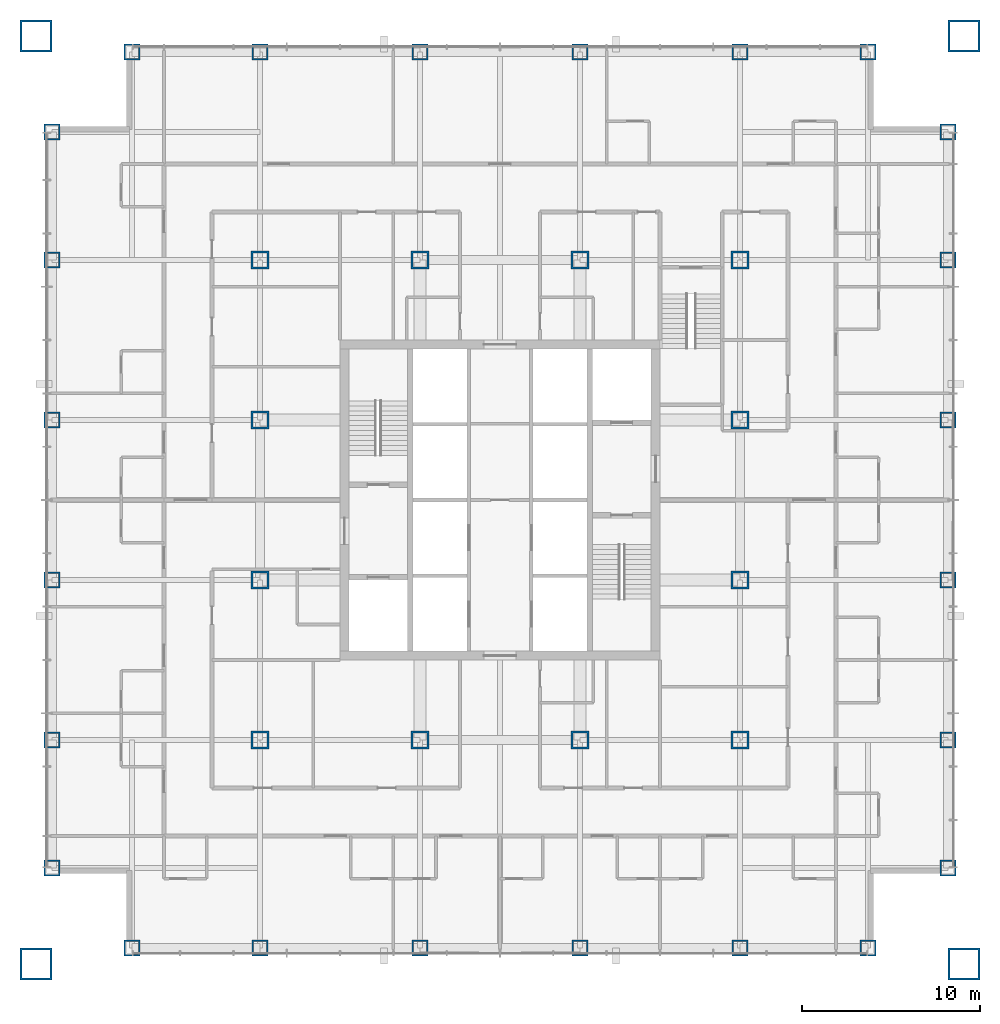
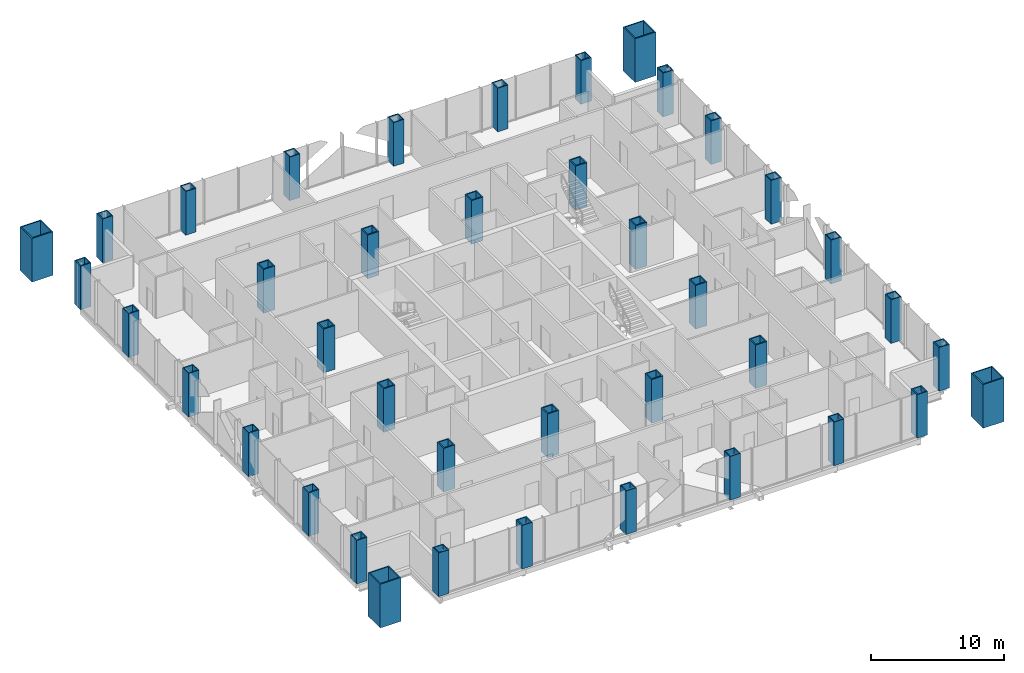
# One storey, part 1 of 13: 40 columns.
"""IFC4 building model written with IfcOpenShell, lengths in metres."""

from ifc_helpers import new_model, si_unit, direction, frame, origin, origin_2d, place, context, subcontext, project, spatial, hollow_rectangle, extrude, material, material_profile, profile_set, type_object, element, save


model = new_model("IFC4")

# Units and contexts
model_context = context("Model", 3, precision=1e-05, world=origin(), true_north=direction((0.0, 1.0)))
body_context = subcontext(model_context, "Body", "Model", "MODEL_VIEW")
ifc_project = project(units=[si_unit("LENGTHUNIT", "METRE"), si_unit("AREAUNIT", "SQUARE_METRE"), si_unit("VOLUMEUNIT", "CUBIC_METRE"), si_unit("PLANEANGLEUNIT", "RADIAN"), si_unit("MASSUNIT", "GRAM", prefix="KILO")], contexts=[model_context])

# Site, building, storey
site_placement = place(None, origin())
site = spatial("IfcSite", under=ifc_project, at=site_placement, CompositionType="ELEMENT")
building_placement = place(site_placement, origin())
building = spatial("IfcBuilding", under=site, at=building_placement, Name="Malebo Sky Hospital", CompositionType="ELEMENT")
storey_placement = place(building_placement, frame((0.0, 0.0, 75.0)))
storey = spatial("IfcBuildingStorey", under=building, at=storey_placement, Name="L17", CompositionType="ELEMENT", Elevation=75.0)

# Columns
ifc_material = material(Name="Steel S460", Category="steel")
ifc_material_profile_1 = material_profile(ifc_material, hollow_rectangle(XDim=1.0, YDim=1.0, WallThickness=0.10009765625, at=origin_2d()), Name="BOX 1000x1000x100")
ifc_profile_set_1 = profile_set([ifc_material_profile_1], Name="Steel S460")
column_type_1 = type_object("IfcColumnType", Name="INNER COLUMN BOX 1000x1000x100", PredefinedType="COLUMN", material=ifc_profile_set_1)
for number, where, z_axis, x_axis, name in (
    (1, (46.5, 48.5, 0.0), (0.0, 0.0, 1.0), (1.0, 0.0, 0.0), "Column IC9 L17"),
    (2, (73.5, 48.5, 0.0), (0.0, 0.0, 1.0), (1.0, 0.0, 0.0), "Column IC9 L17"),
    (3, (73.5, 75.5, 0.0), (0.0, 0.0, 1.0), (1.0, 0.0, 0.0), "Column IC9 L17"),
    (4, (46.5, 75.5, 0.0), (0.0, 0.0, 1.0), (1.0, 0.0, 0.0), "Column IC9 L17"),
    (5, (55.5, 48.5, 0.0), (0.0, 0.0, 1.0), (1.0, 0.0, 0.0), "Column IC9 L17"),
    (6, (64.5, 48.5, 0.0), (0.0, 0.0, 1.0), (1.0, 0.0, 0.0), "Column IC9 L17"),
    (7, (55.5, 75.5, 0.0), (0.0, 0.0, 1.0), (1.0, 0.0, 0.0), "Column IC9 L17"),
    (8, (64.5, 75.5, 0.0), (0.0, 0.0, 1.0), (1.0, 0.0, 0.0), "Column IC9 L17"),
    (9, (46.5, 57.5, 0.0), (0.0, 0.0, 1.0), (1.0, 0.0, 0.0), "Column IC9 L17"),
    (10, (46.5, 66.5, 0.0), (0.0, 0.0, 1.0), (1.0, 0.0, 0.0), "Column IC9 L17"),
    (11, (73.5, 57.5, 0.0), (0.0, 0.0, 1.0), (1.0, 0.0, 0.0), "Column IC9 L17"),
    (12, (73.5, 66.5, 0.0), (0.0, 0.0, 1.0), (1.0, 0.0, 0.0), "Column IC9 L17"),
):
    element("IfcColumn", number, at=place(storey_placement, frame(where, z_axis=z_axis, x_axis=x_axis)), inside=storey, type_object=column_type_1, Name=name, PredefinedType="COLUMN", context=body_context, shape_type="SweptSolid", body=[
        extrude(hollow_rectangle(XDim=1.0, YDim=1.0, WallThickness=0.10009765625, at=origin_2d()), origin(), (0.0, 0.0, 1.0), 4.0),
    ])
ifc_material_profile_2 = material_profile(ifc_material, hollow_rectangle(XDim=1.800048828125, YDim=1.800048828125, WallThickness=0.10009765625, at=origin_2d()), Name="BOX 1800x1800x100")
ifc_profile_set_2 = profile_set([ifc_material_profile_2], Name="Steel S460")
column_type_2 = type_object("IfcColumnType", Name="MEGA COLUMN BOX 1800x1800x100", PredefinedType="COLUMN", material=ifc_profile_set_2)
for number, where, z_axis, x_axis, name in (
    (13, (33.89990234375, 35.89990234375, 0.0), (0.0, 0.0, 1.0), (1.0, 0.0, 0.0), "Mega column SW L17"),
    (14, (86.10009765625, 35.89990234375, 0.0), (0.0, 0.0, 1.0), (1.0, 0.0, 0.0), "Mega column SE L17"),
    (15, (86.10009765625, 88.10009765625, 0.0), (0.0, 0.0, 1.0), (1.0, 0.0, 0.0), "Mega column NE L17"),
    (16, (33.89990234375, 88.10009765625, 0.0), (0.0, 0.0, 1.0), (1.0, 0.0, 0.0), "Mega column NW L17"),
):
    element("IfcColumn", number, at=place(storey_placement, frame(where, z_axis=z_axis, x_axis=x_axis)), inside=storey, type_object=column_type_2, Name=name, PredefinedType="COLUMN", context=body_context, shape_type="SweptSolid", body=[
        extrude(hollow_rectangle(XDim=1.800048828125, YDim=1.800048828125, WallThickness=0.10009765625, at=origin_2d()), origin(), (0.0, 0.0, 1.0), 4.0),
    ])
ifc_material_profile_3 = material_profile(ifc_material, hollow_rectangle(XDim=0.89990234375, YDim=0.89990234375, WallThickness=0.080078125, at=origin_2d()), Name="BOX 900x900x80")
ifc_profile_set_3 = profile_set([ifc_material_profile_3], Name="Steel S460")
column_type_3 = type_object("IfcColumnType", Name="PERIMETER COLUMN BOX 900x900x80", PredefinedType="COLUMN", material=ifc_profile_set_3)
for number, where, z_axis, x_axis, name in (
    (17, (39.300048828125, 36.800048828125, 0.0), (0.0, 0.0, 1.0), (1.0, 0.0, 0.0), "Column PC8 L17"),
    (18, (39.300048828125, 87.199951171875, 0.0), (0.0, 0.0, 1.0), (1.0, 0.0, 0.0), "Column PC8 L17"),
    (19, (34.800048828125, 41.300048828125, 0.0), (0.0, 0.0, 1.0), (1.0, 0.0, 0.0), "Column PC8 L17"),
    (20, (85.199951171875, 41.300048828125, 0.0), (0.0, 0.0, 1.0), (1.0, 0.0, 0.0), "Column PC8 L17"),
    (21, (46.5, 36.800048828125, 0.0), (0.0, 0.0, 1.0), (1.0, 0.0, 0.0), "Column PC8 L17"),
    (22, (46.5, 87.199951171875, 0.0), (0.0, 0.0, 1.0), (1.0, 0.0, 0.0), "Column PC8 L17"),
    (23, (34.800048828125, 48.5, 0.0), (0.0, 0.0, 1.0), (1.0, 0.0, 0.0), "Column PC8 L17"),
    (24, (85.199951171875, 48.5, 0.0), (0.0, 0.0, 1.0), (1.0, 0.0, 0.0), "Column PC8 L17"),
    (25, (55.5, 36.800048828125, 0.0), (0.0, 0.0, 1.0), (1.0, 0.0, 0.0), "Column PC8 L17"),
    (26, (55.5, 87.199951171875, 0.0), (0.0, 0.0, 1.0), (1.0, 0.0, 0.0), "Column PC8 L17"),
    (27, (34.800048828125, 57.5, 0.0), (0.0, 0.0, 1.0), (1.0, 0.0, 0.0), "Column PC8 L17"),
    (28, (85.199951171875, 57.5, 0.0), (0.0, 0.0, 1.0), (1.0, 0.0, 0.0), "Column PC8 L17"),
    (29, (64.5, 36.800048828125, 0.0), (0.0, 0.0, 1.0), (1.0, 0.0, 0.0), "Column PC8 L17"),
    (30, (64.5, 87.199951171875, 0.0), (0.0, 0.0, 1.0), (1.0, 0.0, 0.0), "Column PC8 L17"),
    (31, (34.800048828125, 66.5, 0.0), (0.0, 0.0, 1.0), (1.0, 0.0, 0.0), "Column PC8 L17"),
    (32, (85.199951171875, 66.5, 0.0), (0.0, 0.0, 1.0), (1.0, 0.0, 0.0), "Column PC8 L17"),
    (33, (73.5, 36.800048828125, 0.0), (0.0, 0.0, 1.0), (1.0, 0.0, 0.0), "Column PC8 L17"),
    (34, (73.5, 87.199951171875, 0.0), (0.0, 0.0, 1.0), (1.0, 0.0, 0.0), "Column PC8 L17"),
    (35, (34.800048828125, 75.5, 0.0), (0.0, 0.0, 1.0), (1.0, 0.0, 0.0), "Column PC8 L17"),
    (36, (85.199951171875, 75.5, 0.0), (0.0, 0.0, 1.0), (1.0, 0.0, 0.0), "Column PC8 L17"),
    (37, (80.699951171875, 36.800048828125, 0.0), (0.0, 0.0, 1.0), (1.0, 0.0, 0.0), "Column PC8 L17"),
    (38, (80.699951171875, 87.199951171875, 0.0), (0.0, 0.0, 1.0), (1.0, 0.0, 0.0), "Column PC8 L17"),
    (39, (34.800048828125, 82.699951171875, 0.0), (0.0, 0.0, 1.0), (1.0, 0.0, 0.0), "Column PC8 L17"),
    (40, (85.199951171875, 82.699951171875, 0.0), (0.0, 0.0, 1.0), (1.0, 0.0, 0.0), "Column PC8 L17"),
):
    element("IfcColumn", number, at=place(storey_placement, frame(where, z_axis=z_axis, x_axis=x_axis)), inside=storey, type_object=column_type_3, Name=name, PredefinedType="COLUMN", context=body_context, shape_type="SweptSolid", body=[
        extrude(hollow_rectangle(XDim=0.89990234375, YDim=0.89990234375, WallThickness=0.080078125, at=origin_2d()), origin(), (0.0, 0.0, 1.0), 4.0),
    ])

save(model, "model.ifc")
